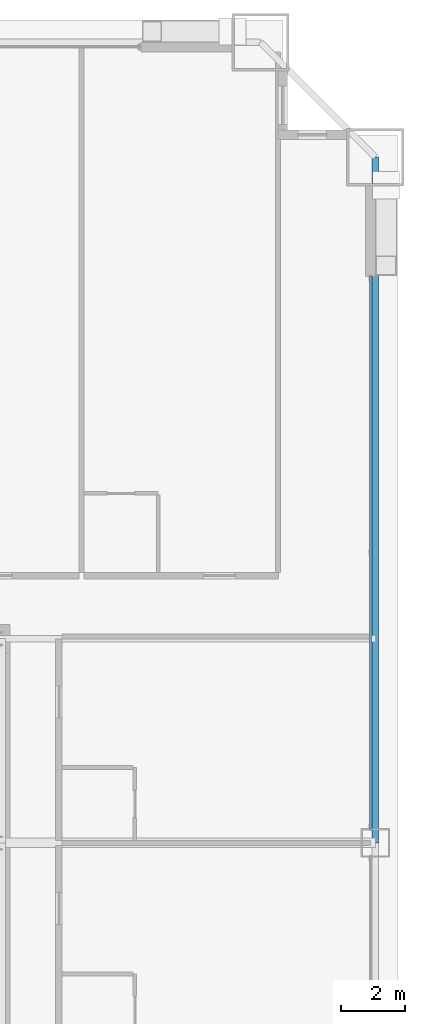
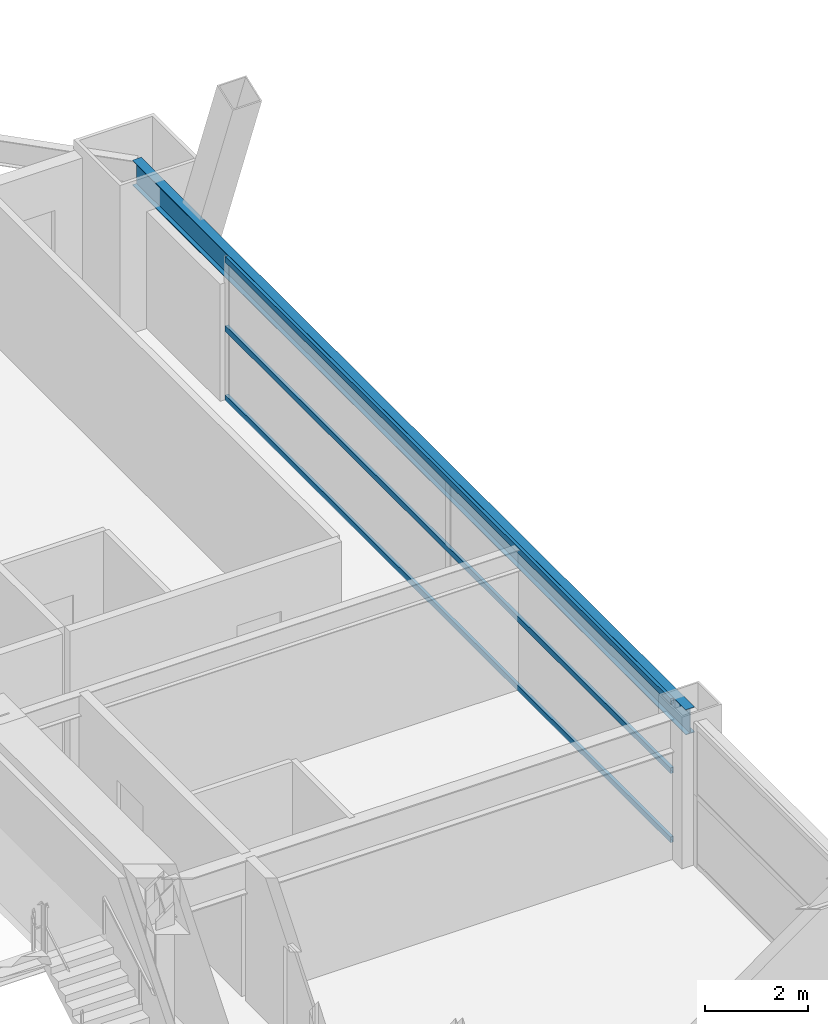
# One storey, part 33 of 43: 3 members, 1 beam, 1 element without a shape of its own.
"""IFC4 building model written with IfcOpenShell, lengths in metres."""

from ifc_helpers import new_model, si_unit, direction, frame, origin, origin_2d, place, context, subcontext, project, spatial, hollow_rectangle, i_section, extrude, source, transform, mapped, material, layer, layer_set, material_profile, profile_set, type_object, element, aggregate, save


model = new_model("IFC4")

# Units and contexts
model_context = context("Model", 3, precision=1e-05, world=origin(), true_north=direction((0.0, 1.0)))
body_context = subcontext(model_context, "Body", "Model", "MODEL_VIEW")
ifc_project = project(units=[si_unit("LENGTHUNIT", "METRE"), si_unit("AREAUNIT", "SQUARE_METRE"), si_unit("VOLUMEUNIT", "CUBIC_METRE"), si_unit("PLANEANGLEUNIT", "RADIAN"), si_unit("MASSUNIT", "GRAM", prefix="KILO"), si_unit("THERMODYNAMICTEMPERATUREUNIT", "KELVIN"), si_unit("POWERUNIT", "WATT")], contexts=[model_context])

# Site, building, storey
site_placement = place(None, origin())
site = spatial("IfcSite", under=ifc_project, at=site_placement, CompositionType="ELEMENT")
building_placement = place(site_placement, origin())
building = spatial("IfcBuilding", under=site, at=building_placement, Name="Yuzanri Waterfront Tower", CompositionType="ELEMENT")
storey_placement = place(building_placement, frame((0.0, 0.0, 53.199951171875)))
storey = spatial("IfcBuildingStorey", under=building, at=storey_placement, Name="L13", CompositionType="ELEMENT", Elevation=53.199951171875)

# Beam
ifc_material_1 = material(Name="Steel Q355B", Category="steel")
ifc_material_profile_1 = material_profile(ifc_material_1, i_section(OverallWidth=0.199951171875, OverallDepth=0.60009765625, WebThickness=0.010986328125, FlangeThickness=0.01708984375, at=origin_2d()), Name="HN 600x200x11x17")
ifc_profile_set_1 = profile_set([ifc_material_profile_1], Name="Steel Q355B")
beam_type = type_object("IfcBeamType", Name="Perimeter Spandrel Q355B HN 600x200", PredefinedType="SPANDREL", material=ifc_profile_set_1)
shared_shape_1 = source(origin(), body_context, "Body", "SweptSolid", [
    extrude(i_section(OverallWidth=0.199951171875, OverallDepth=0.60009765625, WebThickness=0.010986328125, FlangeThickness=0.01708984375, at=origin_2d()), origin(), (0.0, 0.0, 1.0), 21.5),
])
beam_placement = place(storey_placement, frame((62.10009765625, 25.800048828125, 3.080078125), z_axis=(0.0, 1.0, 0.0), x_axis=(-1.0, 0.0, 0.0)))
element("IfcBeam", 1, at=beam_placement, inside=storey, type_object=beam_type, Name="L13 Perimeter Spandrel E2-E3", PredefinedType="SPANDREL", context=body_context, shape_type="MappedRepresentation", body=[
    mapped(shared_shape_1, transform((0.0, 0.0, 0.0), scale=1.0)),
])

# Curtain wall, members
ifc_material_2 = material(Name="Anodized Architectural Bronze", Category="metal")
ifc_layer = layer(ifc_material_2, 0.159912109375)
ifc_layer_set = layer_set([ifc_layer], Name="Anodized Architectural Bronze")
curtain_wall_type = type_object("IfcCurtainWallType", Name="Anodized Bronze Hotel Lower-Tier Recessed Unitized Curtain Wall 8100", PredefinedType="NOTDEFINED", material=ifc_layer_set)
curtain_wall_placement = place(storey_placement, origin())
curtain_wall = element("IfcCurtainWall", 2, at=curtain_wall_placement, inside=storey, type_object=curtain_wall_type, Name="L13 Curtain Wall CW-L13-ER", PredefinedType="NOTDEFINED")
ifc_material_3 = material(Name="Anodized Architectural Bronze", Category="metal")
ifc_material_profile_2 = material_profile(ifc_material_3, hollow_rectangle(XDim=0.070068359375, YDim=0.135009765625, WallThickness=0.00341796875, at=origin_2d()), Name="CWT 70x135")
ifc_profile_set_2 = profile_set([ifc_material_profile_2], Name="Anodized Architectural Bronze")
member_type = type_object("IfcMemberType", Name="Anodized Bronze Standard Curtain-Wall Transom 70x135", PredefinedType="USERDEFINED", material=ifc_profile_set_2)
shared_shape_2 = source(origin(), body_context, "Body", "SweptSolid", [
    extrude(hollow_rectangle(XDim=0.070068359375, YDim=0.135009765625, WallThickness=0.00341796875, at=origin_2d()), origin(), (0.0, 0.0, 1.0), 17.300048828125),
])
member_1_placement = place(storey_placement, frame((61.949951171875, 26.25, 0.050048828125), z_axis=(0.0, 1.0, 0.0), x_axis=(-1.0, 0.0, 0.0)))
member_1 = element("IfcMember", 3, at=member_1_placement, type_object=member_type, Name="CW-L13-ER Transom 1", ObjectType="TRANSOM", PredefinedType="USERDEFINED", context=body_context, shape_type="MappedRepresentation", body=[
    mapped(shared_shape_2, transform((0.0, 0.0, 0.0), scale=1.0)),
])
member_2_placement = place(storey_placement, frame((61.949951171875, 26.25, 1.68994140625), z_axis=(0.0, 1.0, 0.0), x_axis=(-1.0, 0.0, 0.0)))
member_2 = element("IfcMember", 4, at=member_2_placement, type_object=member_type, Name="CW-L13-ER Transom 2", ObjectType="TRANSOM", PredefinedType="USERDEFINED", context=body_context, shape_type="MappedRepresentation", body=[
    mapped(shared_shape_2, transform((0.0, 0.0, 0.0), scale=1.0)),
])
member_3_placement = place(storey_placement, frame((61.949951171875, 26.25, 3.330078125), z_axis=(0.0, 1.0, 0.0), x_axis=(-1.0, 0.0, 0.0)))
member_3 = element("IfcMember", 5, at=member_3_placement, type_object=member_type, Name="CW-L13-ER Transom 3", ObjectType="TRANSOM", PredefinedType="USERDEFINED", context=body_context, shape_type="MappedRepresentation", body=[
    mapped(shared_shape_2, transform((0.0, 0.0, 0.0), scale=1.0)),
])
aggregate(curtain_wall, [member_1, member_2, member_3])

save(model, "model.ifc")
